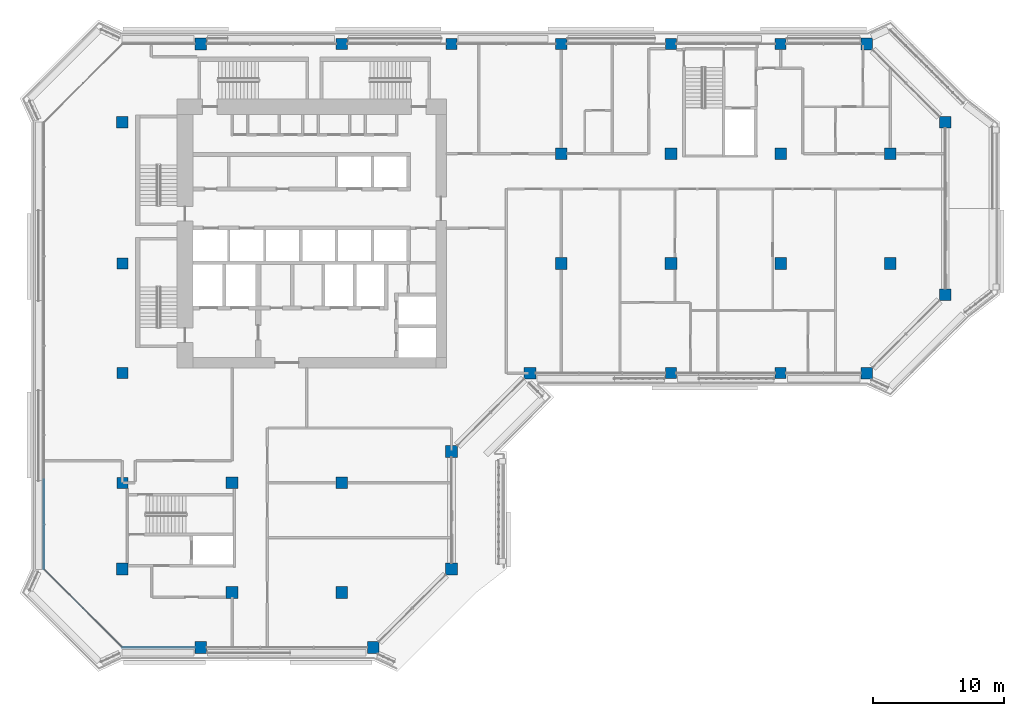
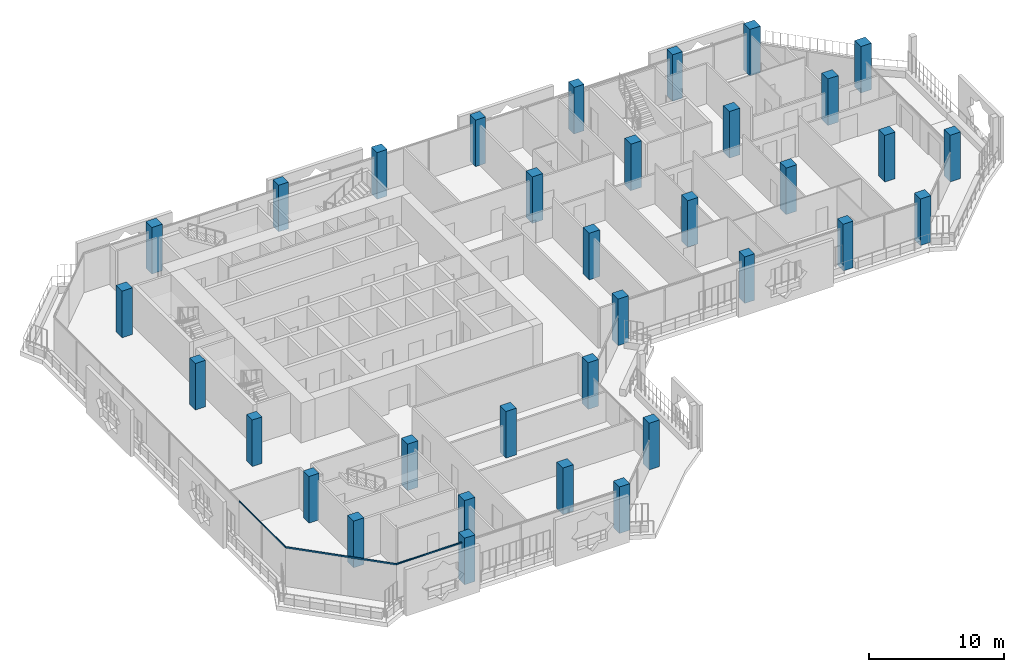
# One storey, part 1 of 21: 34 columns, 4 members, 3 elements without a shape of their own.
"""IFC4 building model written with IfcOpenShell, lengths in metres."""

from ifc_helpers import new_model, si_unit, direction, frame, origin, origin_2d, place, context, subcontext, project, spatial, rectangle, extrude, material, layer, layer_set, material_profile, profile_set, type_object, element, aggregate, save


model = new_model("IFC4")

# Units and contexts
model_context = context("Model", 3, precision=1e-05, world=origin(), true_north=direction((0.0, 1.0)))
body_context = subcontext(model_context, "Body", "Model", "MODEL_VIEW")
ifc_project = project(units=[si_unit("LENGTHUNIT", "METRE"), si_unit("AREAUNIT", "SQUARE_METRE"), si_unit("VOLUMEUNIT", "CUBIC_METRE"), si_unit("PLANEANGLEUNIT", "RADIAN"), si_unit("MASSUNIT", "GRAM", prefix="KILO")], contexts=[model_context])

# Site, building, storey
site_placement = place(None, origin())
site = spatial("IfcSite", under=ifc_project, at=site_placement, CompositionType="ELEMENT")
building_placement = place(site_placement, origin())
building = spatial("IfcBuilding", under=site, at=building_placement, Name="Kawkab Arch Medical Tower", CompositionType="ELEMENT")
storey_placement = place(building_placement, frame((0.0, 0.0, 260.0)))
storey = spatial("IfcBuildingStorey", under=building, at=storey_placement, Name="L60", CompositionType="ELEMENT", Elevation=260.0)

# Columns
ifc_material_1 = material(Name="Concrete C45/55", Category="concrete")
ifc_material_profile_1 = material_profile(ifc_material_1, rectangle(XDim=0.85009765625, YDim=0.85009765625, at=origin_2d()), Name="RC 850x850")
ifc_profile_set_1 = profile_set([ifc_material_profile_1], Name="Concrete C45/55")
column_type_1 = type_object("IfcColumnType", Name="RC 850x850 column C45/55", PredefinedType="COLUMN", material=ifc_profile_set_1)
for number, where, z_axis, x_axis, name in (
    (1, (16.800048828125, 0.0, 0.0), (0.0, 0.0, 1.0), (1.0, 0.0, 0.0), "Column RC 850x850"),
    (2, (25.199951171875, 0.0, 0.0), (0.0, 0.0, 1.0), (1.0, 0.0, 0.0), "Column RC 850x850"),
    (3, (33.60009765625, 0.0, 0.0), (0.0, 0.0, 1.0), (1.0, 0.0, 0.0), "Column RC 850x850"),
    (4, (42.0, 0.0, 0.0), (0.0, 0.0, 1.0), (1.0, 0.0, 0.0), "Column RC 850x850"),
    (5, (50.39990234375, 0.0, 0.0), (0.0, 0.0, 1.0), (1.0, 0.0, 0.0), "Column RC 850x850"),
    (6, (0.0, -16.800048828125, 0.0), (0.0, 0.0, 1.0), (1.0, 0.0, 0.0), "Column RC 850x850"),
    (7, (0.0, -25.199951171875, 0.0), (0.0, 0.0, 1.0), (1.0, 0.0, 0.0), "Column RC 850x850"),
    (8, (42.0, -25.199951171875, 0.0), (0.0, 0.0, 1.0), (1.0, 0.0, 0.0), "Column RC 850x850"),
    (9, (50.39990234375, -25.199951171875, 0.0), (0.0, 0.0, 1.0), (1.0, 0.0, 0.0), "Column RC 850x850"),
    (10, (0.0, -33.60009765625, 0.0), (0.0, 0.0, 1.0), (1.0, 0.0, 0.0), "Column RC 850x850"),
):
    element("IfcColumn", number, at=place(storey_placement, frame(where, z_axis=z_axis, x_axis=x_axis)), inside=storey, type_object=column_type_1, Name=name, PredefinedType="COLUMN", context=body_context, shape_type="SweptSolid", body=[
        extrude(rectangle(XDim=0.85009765625, YDim=0.85009765625, at=origin_2d()), origin(), (0.0, 0.0, 1.0), 4.199951171875),
    ])
ifc_material_2 = material(Name="Concrete C45/55", Category="concrete")
ifc_material_profile_2 = material_profile(ifc_material_2, rectangle(XDim=0.89990234375, YDim=0.89990234375, at=origin_2d()), Name="RC 900x900")
ifc_profile_set_2 = profile_set([ifc_material_profile_2], Name="Concrete C45/55")
column_type_2 = type_object("IfcColumnType", Name="RC 900x900 column C45/55", PredefinedType="COLUMN", material=ifc_profile_set_2)
for number, where, z_axis, x_axis, name in (
    (11, (6.0, 0.0, 0.0), (0.0, 0.0, 1.0), (1.0, 0.0, 0.0), "Column RC 900x900"),
    (12, (57.0, 0.0, 0.0), (0.0, 0.0, 1.0), (1.0, 0.0, 0.0), "Column RC 900x900"),
    (13, (0.0, -6.0, 0.0), (0.0, 0.0, 1.0), (1.0, 0.0, 0.0), "Column RC 900x900"),
    (14, (63.0, -6.0, 0.0), (0.0, 0.0, 1.0), (1.0, 0.0, 0.0), "Column RC 900x900"),
    (15, (33.60009765625, -8.39990234375, 0.0), (0.0, 0.0, 1.0), (1.0, 0.0, 0.0), "Column RC 900x900"),
    (16, (42.0, -8.39990234375, 0.0), (0.0, 0.0, 1.0), (1.0, 0.0, 0.0), "Column RC 900x900"),
    (17, (50.39990234375, -8.39990234375, 0.0), (0.0, 0.0, 1.0), (1.0, 0.0, 0.0), "Column RC 900x900"),
    (18, (58.800048828125, -8.39990234375, 0.0), (0.0, 0.0, 1.0), (1.0, 0.0, 0.0), "Column RC 900x900"),
    (19, (33.60009765625, -16.800048828125, 0.0), (0.0, 0.0, 1.0), (1.0, 0.0, 0.0), "Column RC 900x900"),
    (20, (42.0, -16.800048828125, 0.0), (0.0, 0.0, 1.0), (1.0, 0.0, 0.0), "Column RC 900x900"),
    (21, (50.39990234375, -16.800048828125, 0.0), (0.0, 0.0, 1.0), (1.0, 0.0, 0.0), "Column RC 900x900"),
    (22, (58.800048828125, -16.800048828125, 0.0), (0.0, 0.0, 1.0), (1.0, 0.0, 0.0), "Column RC 900x900"),
    (23, (63.0, -19.199951171875, 0.0), (0.0, 0.0, 1.0), (1.0, 0.0, 0.0), "Column RC 900x900"),
    (24, (31.199951171875, -25.199951171875, 0.0), (0.0, 0.0, 1.0), (1.0, 0.0, 0.0), "Column RC 900x900"),
    (25, (57.0, -25.199951171875, 0.0), (0.0, 0.0, 1.0), (1.0, 0.0, 0.0), "Column RC 900x900"),
    (26, (25.199951171875, -31.199951171875, 0.0), (0.0, 0.0, 1.0), (1.0, 0.0, 0.0), "Column RC 900x900"),
    (27, (8.39990234375, -33.60009765625, 0.0), (0.0, 0.0, 1.0), (1.0, 0.0, 0.0), "Column RC 900x900"),
    (28, (16.800048828125, -33.60009765625, 0.0), (0.0, 0.0, 1.0), (1.0, 0.0, 0.0), "Column RC 900x900"),
    (29, (0.0, -40.199951171875, 0.0), (0.0, 0.0, 1.0), (1.0, 0.0, 0.0), "Column RC 900x900"),
    (30, (25.199951171875, -40.199951171875, 0.0), (0.0, 0.0, 1.0), (1.0, 0.0, 0.0), "Column RC 900x900"),
    (31, (8.39990234375, -42.0, 0.0), (0.0, 0.0, 1.0), (1.0, 0.0, 0.0), "Column RC 900x900"),
    (32, (16.800048828125, -42.0, 0.0), (0.0, 0.0, 1.0), (1.0, 0.0, 0.0), "Column RC 900x900"),
    (33, (6.0, -46.199951171875, 0.0), (0.0, 0.0, 1.0), (1.0, 0.0, 0.0), "Column RC 900x900"),
    (34, (19.199951171875, -46.199951171875, 0.0), (0.0, 0.0, 1.0), (1.0, 0.0, 0.0), "Column RC 900x900"),
):
    element("IfcColumn", number, at=place(storey_placement, frame(where, z_axis=z_axis, x_axis=x_axis)), inside=storey, type_object=column_type_2, Name=name, PredefinedType="COLUMN", context=body_context, shape_type="SweptSolid", body=[
        extrude(rectangle(XDim=0.89990234375, YDim=0.89990234375, at=origin_2d()), origin(), (0.0, 0.0, 1.0), 4.199951171875),
    ])

# Curtain wall, member
ifc_material_3 = material(Name="Bronze anodised aluminium curtain wall frame", Category="aluminium")
ifc_layer_1 = layer(ifc_material_3, 0.159912109375)
ifc_layer_set_1 = layer_set([ifc_layer_1], Name="Bronze anodised aluminium curtain wall frame")
curtain_wall_type_1 = type_object("IfcCurtainWallType", Name="CW1 ward curtain wall", PredefinedType="NOTDEFINED", material=ifc_layer_set_1)
placement = place(storey_placement, origin())
curtain_wall_1 = element("IfcCurtainWall", 35, at=placement, inside=storey, type_object=curtain_wall_type_1, Name="CW1 Ward curtain wall R01", PredefinedType="NOTDEFINED")
ifc_material_4 = material(Name="Bronze anodised aluminium curtain wall frame", Category="aluminium")
ifc_material_profile_3 = material_profile(ifc_material_4, rectangle(XDim=0.06005859375, YDim=0.1201171875, at=origin_2d()), Name="AL 60x120")
ifc_profile_set_3 = profile_set([ifc_material_profile_3], Name="Bronze anodised aluminium curtain wall frame")
member_type_1 = type_object("IfcMemberType", Name="CW1 transom 120 x 60", PredefinedType="USERDEFINED", material=ifc_profile_set_3)
member_1_placement = place(storey_placement, frame((-6.0, -33.360107421875, 3.5400390625), z_axis=(0.0, -1.0, 0.0), x_axis=(1.0, 0.0, 0.0)))
member_1 = element("IfcMember", 36, at=member_1_placement, type_object=member_type_1, Name="CW1 transom 5", ObjectType="TRANSOM", PredefinedType="USERDEFINED", context=body_context, shape_type="SweptSolid", body=[
    extrude(rectangle(XDim=0.06005859375, YDim=0.1201171875, at=origin_2d()), origin(), (0.0, 0.0, 1.0), 6.83984375),
])
aggregate(curtain_wall_1, [member_1])

curtain_wall_2 = element("IfcCurtainWall", 37, at=placement, inside=storey, type_object=curtain_wall_type_1, Name="CW1 Ward curtain wall R03", PredefinedType="NOTDEFINED")
member_2_placement = place(storey_placement, frame((0.0, -46.199951171875, 3.5400390625), z_axis=(1.0, 0.0, 0.0), x_axis=(0.0, 1.0, 0.0)))
member_2 = element("IfcMember", 38, at=member_2_placement, type_object=member_type_1, Name="CW1 transom 1", ObjectType="TRANSOM", PredefinedType="USERDEFINED", context=body_context, shape_type="SweptSolid", body=[
    extrude(rectangle(XDim=0.06005859375, YDim=0.1201171875, at=origin_2d()), origin(), (0.0, 0.0, 1.0), 5.550048828125),
])
aggregate(curtain_wall_2, [member_2])

# Curtain wall, members
ifc_material_5 = material(Name="Bronze anodised aluminium curtain wall frame", Category="aluminium")
ifc_layer_2 = layer(ifc_material_5, 0.159912109375)
ifc_layer_set_2 = layer_set([ifc_layer_2], Name="Bronze anodised aluminium curtain wall frame")
curtain_wall_type_2 = type_object("IfcCurtainWallType", Name="CW2 chamfer curtain wall", PredefinedType="NOTDEFINED", material=ifc_layer_set_2)
curtain_wall_3 = element("IfcCurtainWall", 39, at=placement, inside=storey, type_object=curtain_wall_type_2, Name="CW2 Chamfer curtain wall R02", PredefinedType="NOTDEFINED")
ifc_material_6 = material(Name="Bronze anodised aluminium curtain wall frame", Category="aluminium")
ifc_material_profile_4 = material_profile(ifc_material_6, rectangle(XDim=0.06005859375, YDim=0.139892578125, at=origin_2d()), Name="AL 60x140")
ifc_profile_set_4 = profile_set([ifc_material_profile_4], Name="Bronze anodised aluminium curtain wall frame")
member_type_2 = type_object("IfcMemberType", Name="CW2 transom 140 x 60", PredefinedType="USERDEFINED", material=ifc_profile_set_4)
member_3_placement = place(storey_placement, frame((-6.0, -40.199951171875, 3.530029296875), z_axis=(0.707106781187, -0.707106781187, 0.0), x_axis=(0.707106781187, 0.707106781187, 0.0)))
member_3 = element("IfcMember", 40, at=member_3_placement, type_object=member_type_2, Name="CW2 transom 1", ObjectType="TRANSOM", PredefinedType="USERDEFINED", context=body_context, shape_type="SweptSolid", body=[
    extrude(rectangle(XDim=0.06005859375, YDim=0.139892578125, at=origin_2d()), origin(), (0.0, 0.0, 1.0), 4.24267578125),
])
member_4_placement = place(storey_placement, frame((-3.0, -43.199951171875, 3.530029296875), z_axis=(0.707106781187, -0.707106781187, 0.0), x_axis=(0.707106781187, 0.707106781187, 0.0)))
member_4 = element("IfcMember", 41, at=member_4_placement, type_object=member_type_2, Name="CW2 transom 2", ObjectType="TRANSOM", PredefinedType="USERDEFINED", context=body_context, shape_type="SweptSolid", body=[
    extrude(rectangle(XDim=0.06005859375, YDim=0.139892578125, at=origin_2d()), origin(), (0.0, 0.0, 1.0), 4.24267578125),
])
aggregate(curtain_wall_3, [member_3, member_4])

save(model, "model.ifc")
